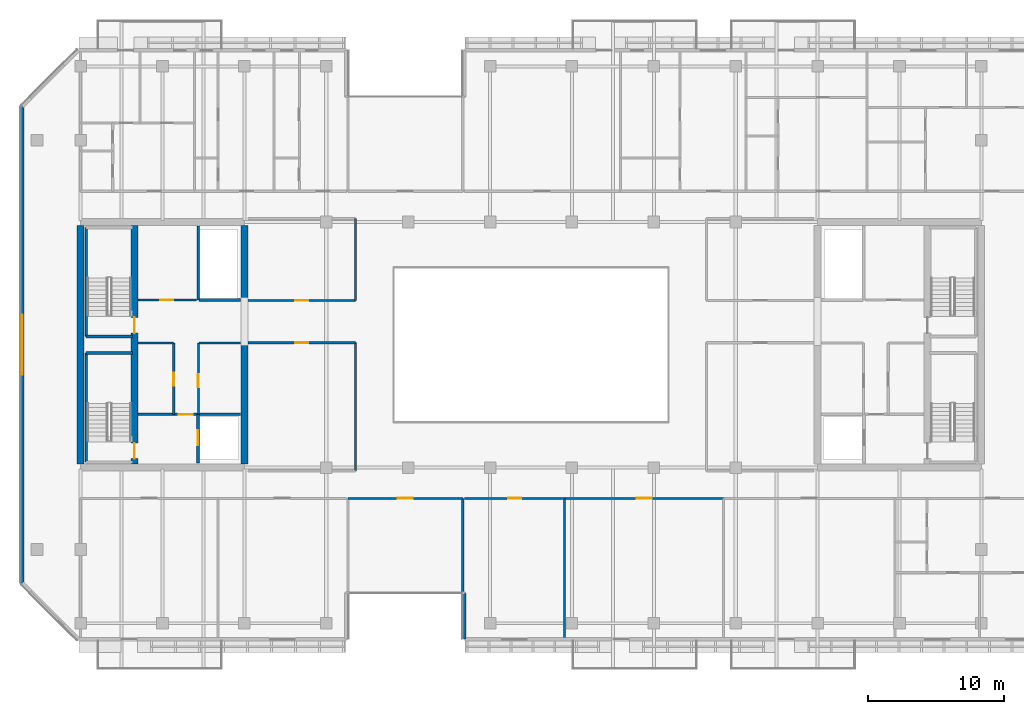
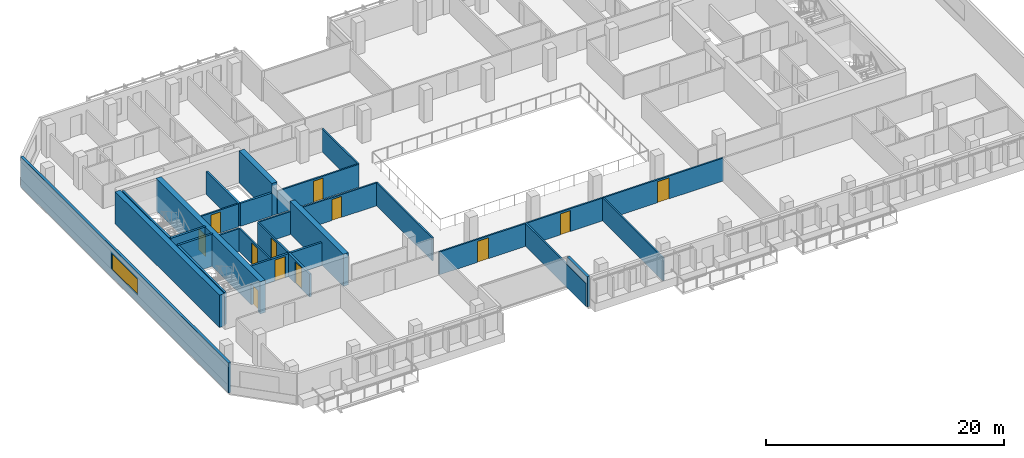
# One storey, part 9 of 19: 28 walls, 12 doors, 1 window, 13 openings.
"""IFC4 building model written with IfcOpenShell, lengths in metres."""

from ifc_helpers import new_model, si_unit, direction, frame, frame_2d, origin, place, context, subcontext, project, spatial, rectangle, extrude, material, layer, layer_set, type_object, element, fill, save


model = new_model("IFC4")

# Units and contexts
model_context = context("Model", 3, precision=1e-05, world=origin(), true_north=direction((0.0, 1.0)))
body_context = subcontext(model_context, "Body", "Model", "MODEL_VIEW")
ifc_project = project(units=[si_unit("LENGTHUNIT", "METRE"), si_unit("AREAUNIT", "SQUARE_METRE"), si_unit("VOLUMEUNIT", "CUBIC_METRE"), si_unit("PLANEANGLEUNIT", "RADIAN"), si_unit("MASSUNIT", "GRAM", prefix="KILO")], contexts=[model_context])

# Site, building, storey
site_placement = place(None, origin())
site = spatial("IfcSite", under=ifc_project, at=site_placement, CompositionType="ELEMENT")
building_placement = place(site_placement, origin())
building = spatial("IfcBuilding", under=site, at=building_placement, Name="Tanjung Sevakor Pilgrim Tower", CompositionType="ELEMENT")
storey_placement = place(building_placement, frame((0.0, 0.0, 155.10009765625)))
storey = spatial("IfcBuildingStorey", under=building, at=storey_placement, Name="L43", CompositionType="ELEMENT", Elevation=155.10009765625)

# Walls
ifc_material_1 = material(Name="Concrete C60/75", Category="concrete")
ifc_layer_1 = layer(ifc_material_1, 0.5)
ifc_layer_set_1 = layer_set([ifc_layer_1], Name="WALL-CW-500")
wall_type_1 = type_object("IfcWallType", Name="WALL-CW-500", PredefinedType="SHEAR", material=ifc_layer_set_1)
wall_1_placement = place(storey_placement, frame((24.0, 24.85009765625, 0.0), z_axis=(0.0, 0.0, 1.0), x_axis=(0.0, 1.0, 0.0)))
element("IfcWall", 1, at=wall_1_placement, inside=storey, type_object=wall_type_1, Name="L43 W Core Outer Shear Wall", PredefinedType="SHEAR", context=body_context, shape_type="SweptSolid", body=[
    extrude(rectangle(XDim=17.5, YDim=0.5, at=frame_2d((8.75, 0.0))), origin(), (0.0, 0.0, 1.0), 3.2998046875),
])
wall_2_placement = place(storey_placement, frame((36.0, 24.85009765625, 0.0), z_axis=(0.0, 0.0, 1.0), x_axis=(0.0, 1.0, 0.0)))
element("IfcWall", 2, at=wall_2_placement, inside=storey, type_object=wall_type_1, Name="L43 W Core Inner Shear Wall South", PredefinedType="SHEAR", context=body_context, shape_type="SweptSolid", body=[
    extrude(rectangle(XDim=8.949951171875, YDim=0.5, at=frame_2d((4.47509765625, 0.0))), origin(), (0.0, 0.0, 1.0), 3.2998046875),
])
wall_3_placement = place(storey_placement, frame((36.0, 36.800048828125, 0.0), z_axis=(0.0, 0.0, 1.0), x_axis=(0.0, 1.0, 0.0)))
element("IfcWall", 3, at=wall_3_placement, inside=storey, type_object=wall_type_1, Name="L43 W Core Inner Shear Wall North", PredefinedType="SHEAR", context=body_context, shape_type="SweptSolid", body=[
    extrude(rectangle(XDim=5.550048828125, YDim=0.5, at=frame_2d((2.77490234375, 0.0))), origin(), (0.0, 0.0, 1.0), 3.2998046875),
])

# Wall, openings, doors
wall_4_placement = place(storey_placement, frame((27.949951171875, 24.85009765625, 0.0), z_axis=(0.0, 0.0, 1.0), x_axis=(0.0, 1.0, 0.0)))
wall_4 = element("IfcWall", 4, at=wall_4_placement, inside=storey, type_object=wall_type_1, Name="L43 W Core Stair Spine Wall", PredefinedType="SHEAR", context=body_context, shape_type="SweptSolid", body=[
    extrude(rectangle(XDim=17.5, YDim=0.5, at=frame_2d((8.75, 0.0))), origin(), (0.0, 0.0, 1.0), 3.2998046875),
])
opening_1_placement = place(wall_4_placement, frame((0.39990234375, 0.0, 0.0)))
opening_1 = element("IfcOpeningElement", 5, at=opening_1_placement, cuts=wall_4, Name="Opening ID-ST1", PredefinedType="OPENING", context=body_context, shape_type="SweptSolid", body=[
    extrude(rectangle(XDim=1.14990234375, YDim=2.14990234375, at=frame_2d((0.574951171875, 1.074951171875))), frame((0.0, 0.260009765625, 0.0), z_axis=(0.0, -1.0, 0.0), x_axis=(1.0, 0.0, 0.0)), (0.0, 0.0, 1.0), 0.52001953125),
])
opening_2_placement = place(wall_4_placement, frame((9.60009765625, 0.0, 0.0)))
opening_2 = element("IfcOpeningElement", 6, at=opening_2_placement, cuts=wall_4, Name="Opening ID-ST1", PredefinedType="OPENING", context=body_context, shape_type="SweptSolid", body=[
    extrude(rectangle(XDim=1.14990234375, YDim=2.14990234375, at=frame_2d((0.574951171875, 1.074951171875))), frame((0.0, 0.260009765625, 0.0), z_axis=(0.0, -1.0, 0.0), x_axis=(1.0, 0.0, 0.0)), (0.0, 0.0, 1.0), 0.52001953125),
])
ifc_material_2 = material(Name="Fire-Rated Steel S355J2", Category="steel")
door_type_1 = type_object("IfcDoorType", Name="DT-FIRE-1150", OperationType="NOTDEFINED", PredefinedType="DOOR", material=ifc_material_2)
door_1_placement = place(opening_1_placement, origin())
door_1 = element("IfcDoor", 7, at=door_1_placement, inside=storey, type_object=door_type_1, Name="L43 TS-W1 Stair Fire Door", OperationType="SINGLE_SWING_RIGHT", OverallHeight=2.14990234375, OverallWidth=1.14990234375, PredefinedType="DOOR", context=body_context, shape_type="SweptSolid", body=[
    extrude(rectangle(XDim=1.14990234375, YDim=2.14990234375, at=frame_2d((0.574951171875, 1.074951171875))), frame((0.0, 0.02490234375, 0.0), z_axis=(0.0, -1.0, 0.0), x_axis=(1.0, 0.0, 0.0)), (0.0, 0.0, 1.0), 0.050048828125),
])
fill(opening_1, door_1)
door_2_placement = place(opening_2_placement, origin())
door_2 = element("IfcDoor", 8, at=door_2_placement, inside=storey, type_object=door_type_1, Name="L43 TS-W2 Stair Fire Door", OperationType="SINGLE_SWING_LEFT", OverallHeight=2.14990234375, OverallWidth=1.14990234375, PredefinedType="DOOR", context=body_context, shape_type="SweptSolid", body=[
    extrude(rectangle(XDim=1.14990234375, YDim=2.14990234375, at=frame_2d((0.574951171875, 1.074951171875))), frame((0.0, 0.02490234375, 0.0), z_axis=(0.0, -1.0, 0.0), x_axis=(1.0, 0.0, 0.0)), (0.0, 0.0, 1.0), 0.050048828125),
])
fill(opening_2, door_2)

# Wall
ifc_material_3 = material(Name="Concrete C40/50", Category="concrete")
ifc_layer_2 = layer(ifc_material_3, 0.14990234375)
ifc_layer_set_2 = layer_set([ifc_layer_2], Name="WT-COMP-150")
wall_type_2 = type_object("IfcWallType", Name="WT-COMP-150", PredefinedType="SOLIDWALL", material=ifc_layer_set_2)
wall_5_placement = place(storey_placement, frame((28.219970703125, 33.719970703125, 0.0), z_axis=(0.0, 0.0, 1.0), x_axis=(1.0, 0.0, 0.0)))
element("IfcWall", 9, at=wall_5_placement, inside=storey, type_object=wall_type_2, Name="L43 Partition IW-L43-003", PredefinedType="SOLIDWALL", context=body_context, shape_type="SweptSolid", body=[
    extrude(rectangle(XDim=2.580078125, YDim=0.14990234375, at=frame_2d((1.2900390625, 0.0))), origin(), (0.0, 0.0, 1.0), 2.35009765625),
])

# Wall, opening, door
wall_6_placement = place(storey_placement, frame((30.820068359375, 28.5, 0.0), z_axis=(0.0, 0.0, 1.0), x_axis=(0.0, 1.0, 0.0)))
wall_6 = element("IfcWall", 10, at=wall_6_placement, inside=storey, type_object=wall_type_2, Name="L43 Partition IW-L43-004", PredefinedType="SOLIDWALL", context=body_context, shape_type="SweptSolid", body=[
    extrude(rectangle(XDim=5.219970703125, YDim=0.14990234375, at=frame_2d((2.60986328125, 0.0))), origin(), (0.0, 0.0, 1.0), 2.35009765625),
])
opening_3_placement = place(wall_6_placement, frame((2.10009765625, 0.0, 0.0)))
opening_3 = element("IfcOpeningElement", 11, at=opening_3_placement, cuts=wall_6, Name="Opening ID-FD2", PredefinedType="OPENING", context=body_context, shape_type="SweptSolid", body=[
    extrude(rectangle(XDim=0.949951171875, YDim=2.14990234375, at=frame_2d((0.47509765625, 1.074951171875))), frame((0.0, 0.0849609375, 0.0), z_axis=(0.0, -1.0, 0.0), x_axis=(1.0, 0.0, 0.0)), (0.0, 0.0, 1.0), 0.169921875),
])
ifc_material_4 = material(Name="Fire-Rated Timber", Category="wood")
door_type_2 = type_object("IfcDoorType", Name="DT-FIRE-950", OperationType="NOTDEFINED", PredefinedType="DOOR", material=ifc_material_4)
door_3_placement = place(opening_3_placement, origin())
door_3 = element("IfcDoor", 12, at=door_3_placement, inside=storey, type_object=door_type_2, Name="L43 Housekeeping Pantry Door", OperationType="SINGLE_SWING_RIGHT", OverallHeight=2.14990234375, OverallWidth=0.949951171875, PredefinedType="DOOR", context=body_context, shape_type="SweptSolid", body=[
    extrude(rectangle(XDim=0.949951171875, YDim=2.14990234375, at=frame_2d((0.47509765625, 1.074951171875))), frame((0.0, 0.02490234375, 0.0), z_axis=(0.0, -1.0, 0.0), x_axis=(1.0, 0.0, 0.0)), (0.0, 0.0, 1.0), 0.050048828125),
])
fill(opening_3, door_3)

# Wall
wall_7_placement = place(storey_placement, frame((32.679931640625, 33.719970703125, 0.0), z_axis=(0.0, 0.0, 1.0), x_axis=(1.0, 0.0, 0.0)))
element("IfcWall", 13, at=wall_7_placement, inside=storey, type_object=wall_type_2, Name="L43 Partition IW-L43-005", PredefinedType="SOLIDWALL", context=body_context, shape_type="SweptSolid", body=[
    extrude(rectangle(XDim=3.050048828125, YDim=0.14990234375, at=frame_2d((1.52490234375, 0.0))), origin(), (0.0, 0.0, 1.0), 2.35009765625),
])

# Wall, opening, door
wall_8_placement = place(storey_placement, frame((32.6201171875, 28.5, 0.0), z_axis=(0.0, 0.0, 1.0), x_axis=(0.0, 1.0, 0.0)))
wall_8 = element("IfcWall", 14, at=wall_8_placement, inside=storey, type_object=wall_type_2, Name="L43 Partition IW-L43-006", PredefinedType="SOLIDWALL", context=body_context, shape_type="SweptSolid", body=[
    extrude(rectangle(XDim=5.219970703125, YDim=0.14990234375, at=frame_2d((2.60986328125, 0.0))), origin(), (0.0, 0.0, 1.0), 2.35009765625),
])
opening_4_placement = place(wall_8_placement, frame((2.0, 0.0, 0.0)))
opening_4 = element("IfcOpeningElement", 15, at=opening_4_placement, cuts=wall_8, Name="Opening ID-FD2", PredefinedType="OPENING", context=body_context, shape_type="SweptSolid", body=[
    extrude(rectangle(XDim=0.949951171875, YDim=2.14990234375, at=frame_2d((0.47509765625, 1.074951171875))), frame((0.0, 0.0849609375, 0.0), z_axis=(0.0, -1.0, 0.0), x_axis=(1.0, 0.0, 0.0)), (0.0, 0.0, 1.0), 0.169921875),
])
door_4_placement = place(opening_4_placement, origin())
door_4 = element("IfcDoor", 16, at=door_4_placement, inside=storey, type_object=door_type_2, Name="L43 Accessible WC Door", OperationType="SINGLE_SWING_LEFT", OverallHeight=2.14990234375, OverallWidth=0.949951171875, PredefinedType="DOOR", context=body_context, shape_type="SweptSolid", body=[
    extrude(rectangle(XDim=0.949951171875, YDim=2.14990234375, at=frame_2d((0.47509765625, 1.074951171875))), frame((0.0, 0.02490234375, 0.0), z_axis=(0.0, -1.0, 0.0), x_axis=(1.0, 0.0, 0.0)), (0.0, 0.0, 1.0), 0.050048828125),
])
fill(opening_4, door_4)

wall_9_placement = place(storey_placement, frame((28.219970703125, 36.8798828125, 0.0), z_axis=(0.0, 0.0, 1.0), x_axis=(1.0, 0.0, 0.0)))
wall_9 = element("IfcWall", 17, at=wall_9_placement, inside=storey, type_object=wall_type_2, Name="L43 Partition IW-L43-007", PredefinedType="SOLIDWALL", context=body_context, shape_type="SweptSolid", body=[
    extrude(rectangle(XDim=4.280029296875, YDim=0.14990234375, at=frame_2d((2.14013671875, 0.0))), origin(), (0.0, 0.0, 1.0), 2.35009765625),
])
opening_5_placement = place(wall_9_placement, frame((1.60009765625, 0.0, 0.0)))
opening_5 = element("IfcOpeningElement", 18, at=opening_5_placement, cuts=wall_9, Name="Opening ID-FD2", PredefinedType="OPENING", context=body_context, shape_type="SweptSolid", body=[
    extrude(rectangle(XDim=0.949951171875, YDim=2.14990234375, at=frame_2d((0.47509765625, 1.074951171875))), frame((0.0, 0.0849609375, 0.0), z_axis=(0.0, -1.0, 0.0), x_axis=(1.0, 0.0, 0.0)), (0.0, 0.0, 1.0), 0.169921875),
])
door_5_placement = place(opening_5_placement, origin())
door_5 = element("IfcDoor", 19, at=door_5_placement, inside=storey, type_object=door_type_2, Name="L43 Core Prayer Room Door", OperationType="SINGLE_SWING_RIGHT", OverallHeight=2.14990234375, OverallWidth=0.949951171875, PredefinedType="DOOR", context=body_context, shape_type="SweptSolid", body=[
    extrude(rectangle(XDim=0.949951171875, YDim=2.14990234375, at=frame_2d((0.47509765625, 1.074951171875))), frame((0.0, 0.02490234375, 0.0), z_axis=(0.0, -1.0, 0.0), x_axis=(1.0, 0.0, 0.0)), (0.0, 0.0, 1.0), 0.050048828125),
])
fill(opening_5, door_5)

wall_10_placement = place(storey_placement, frame((36.27001953125, 33.75, 0.0), z_axis=(0.0, 0.0, 1.0), x_axis=(1.0, 0.0, 0.0)))
wall_10 = element("IfcWall", 20, at=wall_10_placement, inside=storey, type_object=wall_type_2, Name="L43 Partition IW-L43-020", PredefinedType="SOLIDWALL", context=body_context, shape_type="SweptSolid", body=[
    extrude(rectangle(XDim=7.8798828125, YDim=0.14990234375, at=frame_2d((3.93994140625, 0.0))), origin(), (0.0, 0.0, 1.0), 2.35009765625),
])
opening_6_placement = place(wall_10_placement, frame((3.465087890625, 0.0, 0.0)))
opening_6 = element("IfcOpeningElement", 21, at=opening_6_placement, cuts=wall_10, Name="Opening ID-RM1", PredefinedType="OPENING", context=body_context, shape_type="SweptSolid", body=[
    extrude(rectangle(XDim=0.949951171875, YDim=2.14990234375, at=frame_2d((0.47509765625, 1.074951171875))), frame((0.0, 0.0849609375, 0.0), z_axis=(0.0, -1.0, 0.0), x_axis=(1.0, 0.0, 0.0)), (0.0, 0.0, 1.0), 0.169921875),
])
ifc_material_5 = material(Name="Hardwood Timber", Category="wood")
door_type_3 = type_object("IfcDoorType", Name="DT-INT-950", OperationType="NOTDEFINED", PredefinedType="DOOR", material=ifc_material_5)
door_6_placement = place(opening_6_placement, origin())
door_6 = element("IfcDoor", 22, at=door_6_placement, inside=storey, type_object=door_type_3, Name="L43 West Inboard South Door", OperationType="SINGLE_SWING_RIGHT", OverallHeight=2.14990234375, OverallWidth=0.949951171875, PredefinedType="DOOR", context=body_context, shape_type="SweptSolid", body=[
    extrude(rectangle(XDim=0.949951171875, YDim=2.14990234375, at=frame_2d((0.47509765625, 1.074951171875))), frame((0.0, 0.02490234375, 0.0), z_axis=(0.0, -1.0, 0.0), x_axis=(1.0, 0.0, 0.0)), (0.0, 0.0, 1.0), 0.050048828125),
])
fill(opening_6, door_6)

# Wall
wall_11_placement = place(storey_placement, frame((44.14990234375, 24.35009765625, 0.0), z_axis=(0.0, 0.0, 1.0), x_axis=(0.0, 1.0, 0.0)))
element("IfcWall", 23, at=wall_11_placement, inside=storey, type_object=wall_type_2, Name="L43 Partition IW-L43-021", PredefinedType="SOLIDWALL", context=body_context, shape_type="SweptSolid", body=[
    extrude(rectangle(XDim=9.39990234375, YDim=0.14990234375, at=frame_2d((4.699951171875, 0.0))), origin(), (0.0, 0.0, 1.0), 2.35009765625),
])

# Wall, opening, door
wall_12_placement = place(storey_placement, frame((36.27001953125, 36.85009765625, 0.0), z_axis=(0.0, 0.0, 1.0), x_axis=(1.0, 0.0, 0.0)))
wall_12 = element("IfcWall", 24, at=wall_12_placement, inside=storey, type_object=wall_type_2, Name="L43 Partition IW-L43-022", PredefinedType="SOLIDWALL", context=body_context, shape_type="SweptSolid", body=[
    extrude(rectangle(XDim=7.8798828125, YDim=0.14990234375, at=frame_2d((3.93994140625, 0.0))), origin(), (0.0, 0.0, 1.0), 2.35009765625),
])
opening_7_placement = place(wall_12_placement, frame((3.465087890625, 0.0, 0.0)))
opening_7 = element("IfcOpeningElement", 25, at=opening_7_placement, cuts=wall_12, Name="Opening ID-RM1", PredefinedType="OPENING", context=body_context, shape_type="SweptSolid", body=[
    extrude(rectangle(XDim=0.949951171875, YDim=2.14990234375, at=frame_2d((0.47509765625, 1.074951171875))), frame((0.0, 0.0849609375, 0.0), z_axis=(0.0, -1.0, 0.0), x_axis=(1.0, 0.0, 0.0)), (0.0, 0.0, 1.0), 0.169921875),
])
door_7_placement = place(opening_7_placement, origin())
door_7 = element("IfcDoor", 26, at=door_7_placement, inside=storey, type_object=door_type_3, Name="L43 West Inboard North Door", OperationType="SINGLE_SWING_LEFT", OverallHeight=2.14990234375, OverallWidth=0.949951171875, PredefinedType="DOOR", context=body_context, shape_type="SweptSolid", body=[
    extrude(rectangle(XDim=0.949951171875, YDim=2.14990234375, at=frame_2d((0.47509765625, 1.074951171875))), frame((0.0, 0.02490234375, 0.0), z_axis=(0.0, -1.0, 0.0), x_axis=(1.0, 0.0, 0.0)), (0.0, 0.0, 1.0), 0.050048828125),
])
fill(opening_7, door_7)

# Wall
wall_13_placement = place(storey_placement, frame((44.14990234375, 36.85009765625, 0.0), z_axis=(0.0, 0.0, 1.0), x_axis=(0.0, 1.0, 0.0)))
element("IfcWall", 27, at=wall_13_placement, inside=storey, type_object=wall_type_2, Name="L43 Partition IW-L43-024", PredefinedType="SOLIDWALL", context=body_context, shape_type="SweptSolid", body=[
    extrude(rectangle(XDim=6.0, YDim=0.14990234375, at=frame_2d((3.0, 0.0))), origin(), (0.0, 0.0, 1.0), 2.35009765625),
])

# Wall, opening, door
wall_14_placement = place(storey_placement, frame((43.60009765625, 22.35009765625, 0.0), z_axis=(0.0, 0.0, 1.0), x_axis=(1.0, 0.0, 0.0)))
wall_14 = element("IfcWall", 28, at=wall_14_placement, inside=storey, type_object=wall_type_2, Name="L43 Partition IW-L43-031", PredefinedType="SOLIDWALL", context=body_context, shape_type="SweptSolid", body=[
    extrude(rectangle(XDim=8.39990234375, YDim=0.14990234375, at=frame_2d((4.199951171875, 0.0))), origin(), (0.0, 0.0, 1.0), 2.35009765625),
])
opening_8_placement = place(wall_14_placement, frame((3.64990234375, 0.0, 0.0)))
opening_8 = element("IfcOpeningElement", 29, at=opening_8_placement, cuts=wall_14, Name="Opening ID-RM2", PredefinedType="OPENING", context=body_context, shape_type="SweptSolid", body=[
    extrude(rectangle(XDim=1.10009765625, YDim=2.14990234375, at=frame_2d((0.550048828125, 1.074951171875))), frame((0.0, 0.0849609375, 0.0), z_axis=(0.0, -1.0, 0.0), x_axis=(1.0, 0.0, 0.0)), (0.0, 0.0, 1.0), 0.169921875),
])
ifc_material_6 = material(Name="Hardwood Timber", Category="wood")
door_type_4 = type_object("IfcDoorType", Name="DT-INT-1100", OperationType="NOTDEFINED", PredefinedType="DOOR", material=ifc_material_6)
door_8_placement = place(opening_8_placement, origin())
door_8 = element("IfcDoor", 30, at=door_8_placement, inside=storey, type_object=door_type_4, Name="L43 South Cleft Tea Sanctuary Door", OperationType="SINGLE_SWING_RIGHT", OverallHeight=2.14990234375, OverallWidth=1.10009765625, PredefinedType="DOOR", context=body_context, shape_type="SweptSolid", body=[
    extrude(rectangle(XDim=1.10009765625, YDim=2.14990234375, at=frame_2d((0.550048828125, 1.074951171875))), frame((0.0, 0.02490234375, 0.0), z_axis=(0.0, -1.0, 0.0), x_axis=(1.0, 0.0, 0.0)), (0.0, 0.0, 1.0), 0.050048828125),
])
fill(opening_8, door_8)

# Walls
for number, where, z_axis, x_axis, name in (
    (31, (52.0, 12.14990234375, 0.0), (0.0, 0.0, 1.0), (0.0, 1.0, 0.0), "L43 Partition IW-L43-033"),
    (32, (59.46875, 12.14990234375, 0.0), (0.0, 0.0, 1.0), (0.0, 1.0, 0.0), "L43 Partition IW-L43-042"),
):
    element("IfcWall", number, at=place(storey_placement, frame(where, z_axis=z_axis, x_axis=x_axis)), inside=storey, type_object=wall_type_2, Name=name, PredefinedType="SOLIDWALL", context=body_context, shape_type="SweptSolid", body=[
        extrude(rectangle(XDim=10.2001953125, YDim=0.14990234375, at=frame_2d((5.10009765625, 0.0))), origin(), (0.0, 0.0, 1.0), 2.35009765625),
    ])

# Wall, opening, door
wall_15_placement = place(storey_placement, frame((52.1201171875, 22.35009765625, 0.0), z_axis=(0.0, 0.0, 1.0), x_axis=(1.0, 0.0, 0.0)))
wall_15 = element("IfcWall", 33, at=wall_15_placement, inside=storey, type_object=wall_type_2, Name="L43 Partition IW-L43-043", PredefinedType="SOLIDWALL", context=body_context, shape_type="SweptSolid", body=[
    extrude(rectangle(XDim=7.3486328125, YDim=0.14990234375, at=frame_2d((3.67431640625, 0.0))), origin(), (0.0, 0.0, 1.0), 2.35009765625),
])
opening_9_placement = place(wall_15_placement, frame((3.199462890625, 0.0, 0.0)))
opening_9 = element("IfcOpeningElement", 34, at=opening_9_placement, cuts=wall_15, Name="Opening ID-FD2", PredefinedType="OPENING", context=body_context, shape_type="SweptSolid", body=[
    extrude(rectangle(XDim=0.949951171875, YDim=2.14990234375, at=frame_2d((0.47509765625, 1.074951171875))), frame((0.0, 0.0849609375, 0.0), z_axis=(0.0, -1.0, 0.0), x_axis=(1.0, 0.0, 0.0)), (0.0, 0.0, 1.0), 0.169921875),
])
door_9_placement = place(opening_9_placement, origin())
door_9 = element("IfcDoor", 35, at=door_9_placement, inside=storey, type_object=door_type_2, Name="Housekeeping Pantry Door", OperationType="SINGLE_SWING_RIGHT", OverallHeight=2.14990234375, OverallWidth=0.949951171875, PredefinedType="DOOR", context=body_context, shape_type="SweptSolid", body=[
    extrude(rectangle(XDim=0.949951171875, YDim=2.14990234375, at=frame_2d((0.47509765625, 1.074951171875))), frame((0.0, 0.02490234375, 0.0), z_axis=(0.0, -1.0, 0.0), x_axis=(1.0, 0.0, 0.0)), (0.0, 0.0, 1.0), 0.050048828125),
])
fill(opening_9, door_9)

wall_16_placement = place(storey_placement, frame((59.46875, 22.35009765625, 0.0), z_axis=(0.0, 0.0, 1.0), x_axis=(1.0, 0.0, 0.0)))
wall_16 = element("IfcWall", 36, at=wall_16_placement, inside=storey, type_object=wall_type_2, Name="L43 Partition IW-L43-045", PredefinedType="SOLIDWALL", context=body_context, shape_type="SweptSolid", body=[
    extrude(rectangle(XDim=11.635498046875, YDim=0.14990234375, at=frame_2d((5.81787109375, 0.0))), origin(), (0.0, 0.0, 1.0), 2.35009765625),
])
opening_10_placement = place(wall_16_placement, frame((5.267822265625, 0.0, 0.0)))
opening_10 = element("IfcOpeningElement", 37, at=opening_10_placement, cuts=wall_16, Name="Opening ID-FD0", PredefinedType="OPENING", context=body_context, shape_type="SweptSolid", body=[
    extrude(rectangle(XDim=1.10009765625, YDim=2.14990234375, at=frame_2d((0.550048828125, 1.074951171875))), frame((0.0, 0.0849609375, 0.0), z_axis=(0.0, -1.0, 0.0), x_axis=(1.0, 0.0, 0.0)), (0.0, 0.0, 1.0), 0.169921875),
])
ifc_material_7 = material(Name="Fire-Rated Steel S355J2", Category="steel")
door_type_5 = type_object("IfcDoorType", Name="DT-FIRE-1100", OperationType="NOTDEFINED", PredefinedType="DOOR", material=ifc_material_7)
door_10_placement = place(opening_10_placement, origin())
door_10 = element("IfcDoor", 38, at=door_10_placement, inside=storey, type_object=door_type_5, Name="Seminar Room Door", OperationType="SINGLE_SWING_LEFT", OverallHeight=2.14990234375, OverallWidth=1.10009765625, PredefinedType="DOOR", context=body_context, shape_type="SweptSolid", body=[
    extrude(rectangle(XDim=1.10009765625, YDim=2.14990234375, at=frame_2d((0.550048828125, 1.074951171875))), frame((0.0, 0.02490234375, 0.0), z_axis=(0.0, -1.0, 0.0), x_axis=(1.0, 0.0, 0.0)), (0.0, 0.0, 1.0), 0.050048828125),
])
fill(opening_10, door_10)

# Wall
ifc_material_8 = material(Name="Precast concrete C45/55", Category="concrete")
ifc_layer_3 = layer(ifc_material_8, 0.25)
ifc_layer_set_3 = layer_set([ifc_layer_3], Name="WT-EW-STN3")
wall_type_3 = type_object("IfcWallType", Name="WT-EW-STN3", PredefinedType="SOLIDWALL", material=ifc_layer_set_3)
wall_17_placement = place(storey_placement, frame((52.125, 15.425048828125, 0.0), z_axis=(0.0, 0.0, 1.0), x_axis=(0.0, -1.0, 0.0)))
element("IfcWall", 39, at=wall_17_placement, inside=storey, type_object=wall_type_3, Name="L43 MAIN Exterior Wall 4", PredefinedType="SOLIDWALL", context=body_context, shape_type="SweptSolid", body=[
    extrude(rectangle(XDim=3.400146484375, YDim=0.25, at=frame_2d((1.7001953125, 0.0))), origin(), (0.0, 0.0, 1.0), 3.080078125),
])

# Wall, opening, window
wall_18_placement = place(storey_placement, frame((19.72509765625, 51.048095703125, 0.0), z_axis=(0.0, 0.0, 1.0), x_axis=(0.0, -1.0, 0.0)))
wall_18 = element("IfcWall", 40, at=wall_18_placement, inside=storey, type_object=wall_type_3, Name="L43 MAIN Exterior Wall 15", PredefinedType="SOLIDWALL", context=body_context, shape_type="SweptSolid", body=[
    extrude(rectangle(XDim=34.896240234375, YDim=0.25, at=frame_2d((17.4482421875, 0.0))), origin(), (0.0, 0.0, 1.0), 3.080078125),
])
opening_11_placement = place(wall_18_placement, frame((15.248291015625, 0.0, 0.780029296875)))
opening_11 = element("IfcOpeningElement", 41, at=opening_11_placement, cuts=wall_18, Name="Opening WN-ENDW-1660", PredefinedType="OPENING", context=body_context, shape_type="SweptSolid", body=[
    extrude(rectangle(XDim=4.39990234375, YDim=1.659912109375, at=frame_2d((2.199951171875, 0.830078125))), frame((0.0, 0.135009765625, 0.0), z_axis=(0.0, -1.0, 0.0), x_axis=(1.0, 0.0, 0.0)), (0.0, 0.0, 1.0), 0.27001953125),
])
ifc_material_9 = material(Name="Thermally Broken Aluminium and Low-E Glass", Category="aluminium")
window_type = type_object("IfcWindowType", Name="WTYP-WN-ENDW-1660", PartitioningType="DOUBLE_PANEL_VERTICAL", PredefinedType="WINDOW", material=ifc_material_9)
window_placement = place(opening_11_placement, origin())
window = element("IfcWindow", 42, at=window_placement, inside=storey, type_object=window_type, Name="L43 Facade Window 01", OverallHeight=1.659912109375, OverallWidth=4.39990234375, PartitioningType="SINGLE_PANEL", PredefinedType="WINDOW", context=body_context, shape_type="SweptSolid", body=[
    extrude(rectangle(XDim=4.39990234375, YDim=1.659912109375, at=frame_2d((2.199951171875, 0.830078125))), frame((0.0, 0.030029296875, 0.0), z_axis=(0.0, -1.0, 0.0), x_axis=(1.0, 0.0, 0.0)), (0.0, 0.0, 1.0), 0.06005859375),
])
fill(opening_11, window)

# Walls
ifc_material_10 = material(Name="Concrete C40/50", Category="concrete")
ifc_layer_4 = layer(ifc_material_10, 0.199951171875)
ifc_layer_set_4 = layer_set([ifc_layer_4], Name="WT-FIRE-200")
wall_type_4 = type_object("IfcWallType", Name="WT-FIRE-200", PredefinedType="SOLIDWALL", material=ifc_layer_set_4)
wall_19_placement = place(storey_placement, frame((27.800048828125, 33.0, 0.0), z_axis=(0.0, 0.0, 1.0), x_axis=(-1.0, 0.0, 0.0)))
element("IfcWall", 43, at=wall_19_placement, inside=storey, type_object=wall_type_4, Name="L43 TS-W1 Shaft Wall 2", PredefinedType="SOLIDWALL", context=body_context, shape_type="SweptSolid", body=[
    extrude(rectangle(XDim=3.400146484375, YDim=0.199951171875, at=frame_2d((1.7001953125, 0.0))), origin(), (0.0, 0.0, 1.0), 3.2998046875),
])
wall_20_placement = place(storey_placement, frame((24.39990234375, 33.0, 0.0), z_axis=(0.0, 0.0, 1.0), x_axis=(0.0, -1.0, 0.0)))
element("IfcWall", 44, at=wall_20_placement, inside=storey, type_object=wall_type_4, Name="L43 TS-W1 Shaft Wall 3", PredefinedType="SOLIDWALL", context=body_context, shape_type="SweptSolid", body=[
    extrude(rectangle(XDim=8.0, YDim=0.199951171875, at=frame_2d((4.0, 0.0))), origin(), (0.0, 0.0, 1.0), 3.2998046875),
])
wall_21_placement = place(storey_placement, frame((24.39990234375, 34.199951171875, 0.0), z_axis=(0.0, 0.0, 1.0), x_axis=(1.0, 0.0, 0.0)))
element("IfcWall", 45, at=wall_21_placement, inside=storey, type_object=wall_type_4, Name="L43 TS-W2 Shaft Wall 1", PredefinedType="SOLIDWALL", context=body_context, shape_type="SweptSolid", body=[
    extrude(rectangle(XDim=3.400146484375, YDim=0.199951171875, at=frame_2d((1.7001953125, 0.0))), origin(), (0.0, 0.0, 1.0), 3.2998046875),
])
wall_22_placement = place(storey_placement, frame((24.39990234375, 42.199951171875, 0.0), z_axis=(0.0, 0.0, 1.0), x_axis=(0.0, -1.0, 0.0)))
element("IfcWall", 46, at=wall_22_placement, inside=storey, type_object=wall_type_4, Name="L43 TS-W2 Shaft Wall 3", PredefinedType="SOLIDWALL", context=body_context, shape_type="SweptSolid", body=[
    extrude(rectangle(XDim=8.0, YDim=0.199951171875, at=frame_2d((4.0, 0.0))), origin(), (0.0, 0.0, 1.0), 3.2998046875),
])

# Wall, opening, door
ifc_material_11 = material(Name="Concrete C40/50", Category="concrete")
ifc_layer_5 = layer(ifc_material_11, 0.199951171875)
ifc_layer_set_5 = layer_set([ifc_layer_5], Name="WT-FPRT-200")
wall_type_5 = type_object("IfcWallType", Name="WT-FPRT-200", PredefinedType="SOLIDWALL", material=ifc_layer_set_5)
wall_23_placement = place(storey_placement, frame((32.60009765625, 24.919921875, 0.0), z_axis=(0.0, 0.0, 1.0), x_axis=(0.0, 1.0, 0.0)))
wall_23 = element("IfcWall", 47, at=wall_23_placement, inside=storey, type_object=wall_type_5, Name="L43 Partition IW-L43-001", PredefinedType="SOLIDWALL", context=body_context, shape_type="SweptSolid", body=[
    extrude(rectangle(XDim=3.580078125, YDim=0.199951171875, at=frame_2d((1.7900390625, 0.0))), origin(), (0.0, 0.0, 1.0), 2.35009765625),
])
opening_12_placement = place(wall_23_placement, frame((1.300048828125, 0.0, 0.0)))
opening_12 = element("IfcOpeningElement", 48, at=opening_12_placement, cuts=wall_23, Name="Opening LD-1100", PredefinedType="OPENING", context=body_context, shape_type="SweptSolid", body=[
    extrude(rectangle(XDim=1.10009765625, YDim=2.199951171875, at=frame_2d((0.550048828125, 1.10009765625))), frame((0.0, 0.10986328125, 0.0), z_axis=(0.0, -1.0, 0.0), x_axis=(1.0, 0.0, 0.0)), (0.0, 0.0, 1.0), 0.219970703125),
])
ifc_material_12 = material(Name="Brushed Stainless Steel S355J2", Category="steel")
door_type_6 = type_object("IfcDoorType", Name="DT-LIFT-1100", OperationType="SLIDING_TO_LEFT", PredefinedType="DOOR", material=ifc_material_12)
door_11_placement = place(opening_12_placement, origin())
door_11 = element("IfcDoor", 49, at=door_11_placement, inside=storey, type_object=door_type_6, Name="LD-FL-W", OperationType="SLIDING_TO_LEFT", OverallHeight=2.199951171875, OverallWidth=1.10009765625, PredefinedType="DOOR", context=body_context, shape_type="SweptSolid", body=[
    extrude(rectangle(XDim=1.10009765625, YDim=2.199951171875, at=frame_2d((0.550048828125, 1.10009765625))), frame((0.0, 0.02490234375, 0.0), z_axis=(0.0, -1.0, 0.0), x_axis=(1.0, 0.0, 0.0)), (0.0, 0.0, 1.0), 0.050048828125),
])
fill(opening_12, door_11)

wall_24_placement = place(storey_placement, frame((28.219970703125, 28.5, 0.0), z_axis=(0.0, 0.0, 1.0), x_axis=(1.0, 0.0, 0.0)))
wall_24 = element("IfcWall", 50, at=wall_24_placement, inside=storey, type_object=wall_type_5, Name="L43 Partition IW-L43-002", PredefinedType="SOLIDWALL", context=body_context, shape_type="SweptSolid", body=[
    extrude(rectangle(XDim=7.510009765625, YDim=0.199951171875, at=frame_2d((3.7548828125, 0.0))), origin(), (0.0, 0.0, 1.0), 2.35009765625),
])
opening_13_placement = place(wall_24_placement, frame((2.97998046875, 0.0, 0.0)))
opening_13 = element("IfcOpeningElement", 51, at=opening_13_placement, cuts=wall_24, Name="Opening ID-FD1", PredefinedType="OPENING", context=body_context, shape_type="SweptSolid", body=[
    extrude(rectangle(XDim=1.0, YDim=2.14990234375, at=frame_2d((0.5, 1.074951171875))), frame((0.0, 0.10986328125, 0.0), z_axis=(0.0, -1.0, 0.0), x_axis=(1.0, 0.0, 0.0)), (0.0, 0.0, 1.0), 0.219970703125),
])
ifc_material_13 = material(Name="Fire-Rated Steel S355J2", Category="steel")
door_type_7 = type_object("IfcDoorType", Name="DT-FIRE-1000", OperationType="NOTDEFINED", PredefinedType="DOOR", material=ifc_material_13)
door_12_placement = place(opening_13_placement, origin())
door_12 = element("IfcDoor", 52, at=door_12_placement, inside=storey, type_object=door_type_7, Name="Fire Lobby Door W", OperationType="SINGLE_SWING_LEFT", OverallHeight=2.14990234375, OverallWidth=1.0, PredefinedType="DOOR", context=body_context, shape_type="SweptSolid", body=[
    extrude(rectangle(XDim=1.0, YDim=2.14990234375, at=frame_2d((0.5, 1.074951171875))), frame((0.0, 0.02490234375, 0.0), z_axis=(0.0, -1.0, 0.0), x_axis=(1.0, 0.0, 0.0)), (0.0, 0.0, 1.0), 0.050048828125),
])
fill(opening_13, door_12)

# Walls
wall_25_placement = place(storey_placement, frame((32.679931640625, 36.8798828125, 0.0), z_axis=(0.0, 0.0, 1.0), x_axis=(1.0, 0.0, 0.0)))
element("IfcWall", 53, at=wall_25_placement, inside=storey, type_object=wall_type_5, Name="L43 Partition IW-L43-008", PredefinedType="SOLIDWALL", context=body_context, shape_type="SweptSolid", body=[
    extrude(rectangle(XDim=3.050048828125, YDim=0.199951171875, at=frame_2d((1.52490234375, 0.0))), origin(), (0.0, 0.0, 1.0), 2.35009765625),
])
wall_26_placement = place(storey_placement, frame((32.6201171875, 36.8798828125, 0.0), z_axis=(0.0, 0.0, 1.0), x_axis=(0.0, 1.0, 0.0)))
element("IfcWall", 54, at=wall_26_placement, inside=storey, type_object=wall_type_5, Name="L43 Partition IW-L43-009", PredefinedType="SOLIDWALL", context=body_context, shape_type="SweptSolid", body=[
    extrude(rectangle(XDim=5.420166015625, YDim=0.199951171875, at=frame_2d((2.7099609375, 0.0))), origin(), (0.0, 0.0, 1.0), 2.35009765625),
])

save(model, "model.ifc")
